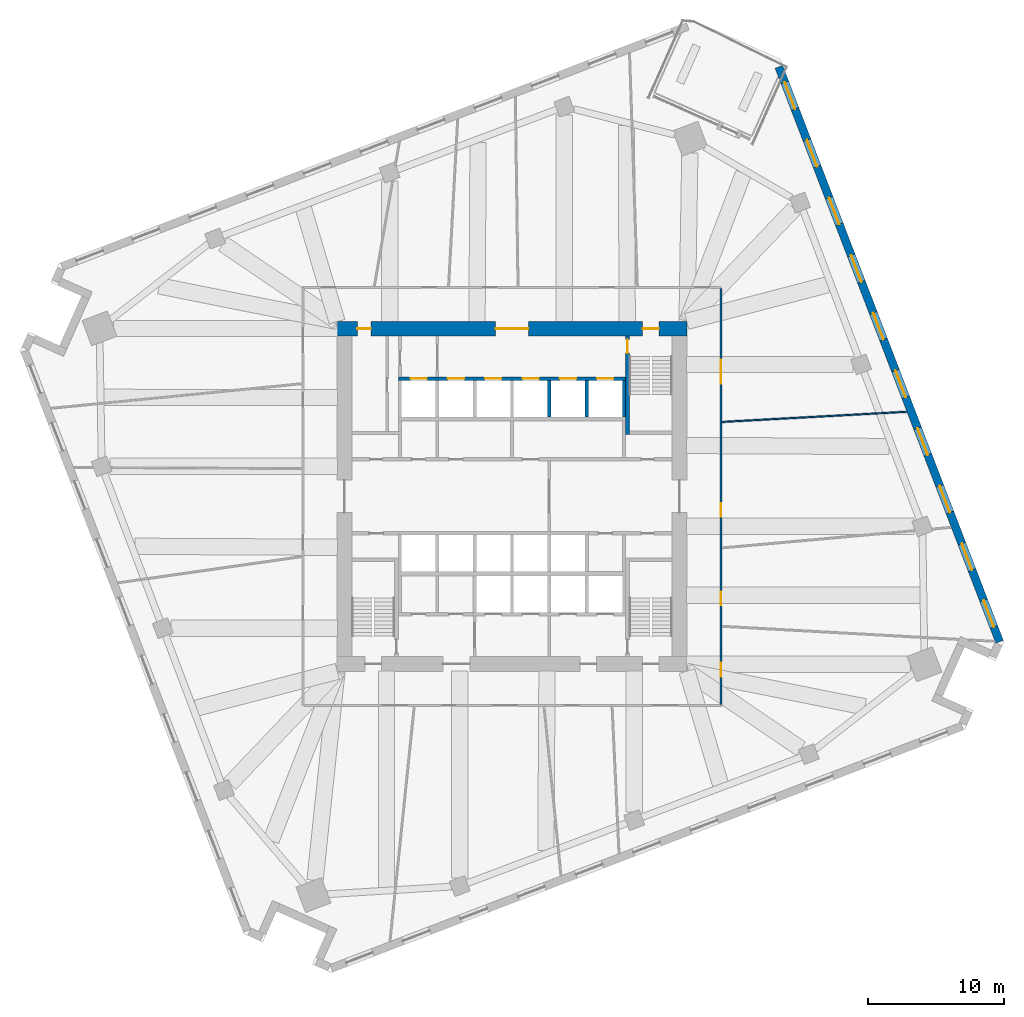
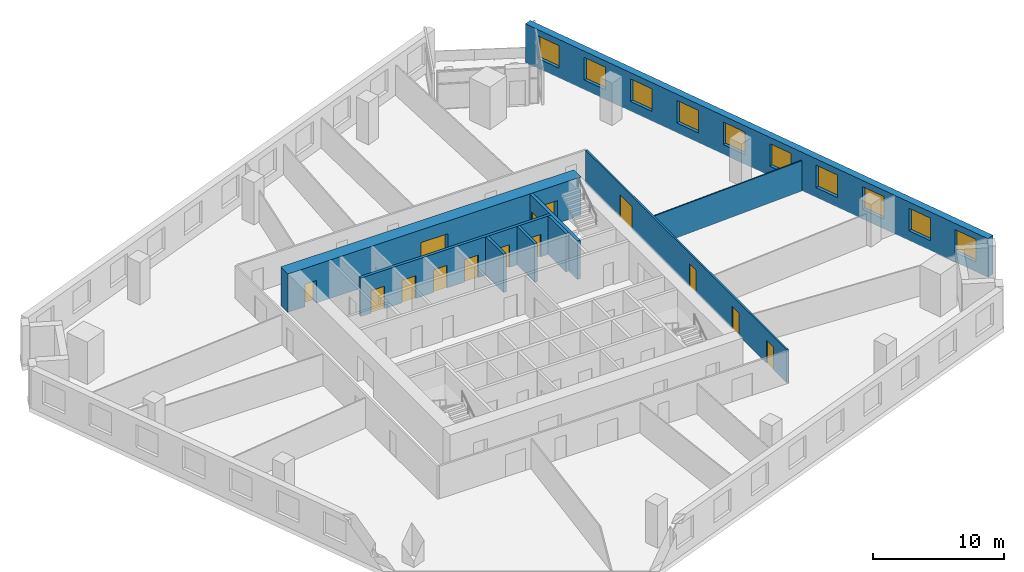
# One storey, part 11 of 14: 14 doors, 10 windows, 9 walls, 24 openings.
"""IFC4 building model written with IfcOpenShell, lengths in metres."""

from ifc_helpers import new_model, si_unit, direction, frame, frame_2d, origin, place, context, subcontext, project, spatial, rectangle, extrude, material, layer, layer_set, type_object, element, fill, save


model = new_model("IFC4")

# Units and contexts
model_context = context("Model", 3, precision=1e-05, world=origin(), true_north=direction((0.0, 1.0)))
body_context = subcontext(model_context, "Body", "Model", "MODEL_VIEW")
ifc_project = project(units=[si_unit("LENGTHUNIT", "METRE"), si_unit("AREAUNIT", "SQUARE_METRE"), si_unit("VOLUMEUNIT", "CUBIC_METRE"), si_unit("PLANEANGLEUNIT", "RADIAN"), si_unit("MASSUNIT", "GRAM", prefix="KILO")], contexts=[model_context])

# Site, building, storey
site_placement = place(None, origin())
site = spatial("IfcSite", under=ifc_project, at=site_placement, CompositionType="ELEMENT")
building_placement = place(site_placement, origin())
building = spatial("IfcBuilding", under=site, at=building_placement, Name="Dilmun Exchange Tower", CompositionType="ELEMENT")
storey_placement = place(building_placement, frame((0.0, 0.0, 110.10009765625)))
storey = spatial("IfcBuildingStorey", under=building, at=storey_placement, Name="L25", CompositionType="ELEMENT", Elevation=110.10009765625)

# Wall, openings, doors
ifc_material_1 = material(Name="Concrete C80/95", Category="concrete")
ifc_layer_1 = layer(ifc_material_1, 1.10009765625)
ifc_layer_set_1 = layer_set([ifc_layer_1], Name="Concrete C80/95")
wall_type_1 = type_object("IfcWallType", Name="Core shear wall 1100 Concrete C80/95", PredefinedType="SHEAR", material=ifc_layer_set_1)
wall_1_placement = place(storey_placement, frame((-12.89990234375, 12.35009765625, 0.0), z_axis=(0.0, 0.0, 1.0), x_axis=(1.0, 0.0, 0.0)))
wall_1 = element("IfcWall", 1, at=wall_1_placement, inside=storey, type_object=wall_type_1, Name="L25 core shear wall N", PredefinedType="SHEAR", context=body_context, shape_type="SweptSolid", body=[
    extrude(rectangle(XDim=25.7998046875, YDim=1.10009765625, at=frame_2d((12.89990234375, 0.0))), origin(), (0.0, 0.0, 1.0), 3.579833984375),
])
opening_1_placement = place(wall_1_placement, frame((11.699951171875, 0.0, 0.0)))
opening_1 = element("IfcOpeningElement", 2, at=opening_1_placement, cuts=wall_1, Name="Opening CD1", PredefinedType="OPENING", context=body_context, shape_type="SweptSolid", body=[
    extrude(rectangle(XDim=2.39990234375, YDim=2.39990234375, at=frame_2d((1.199951171875, 1.199951171875))), frame((0.0, 0.56005859375, 0.0), z_axis=(0.0, -1.0, 0.0), x_axis=(1.0, 0.0, 0.0)), (0.0, 0.0, 1.0), 1.1201171875),
])
opening_2_placement = place(wall_1_placement, frame((22.52490234375, 0.0, 0.0)))
opening_2 = element("IfcOpeningElement", 3, at=opening_2_placement, cuts=wall_1, Name="Opening CD3", PredefinedType="OPENING", context=body_context, shape_type="SweptSolid", body=[
    extrude(rectangle(XDim=1.199951171875, YDim=2.10009765625, at=frame_2d((0.60009765625, 1.050048828125))), frame((0.0, 0.56005859375, 0.0), z_axis=(0.0, -1.0, 0.0), x_axis=(1.0, 0.0, 0.0)), (0.0, 0.0, 1.0), 1.1201171875),
])
opening_3_placement = place(wall_1_placement, frame((1.5, 0.0, 0.0)))
opening_3 = element("IfcOpeningElement", 4, at=opening_3_placement, cuts=wall_1, Name="Opening CD4", PredefinedType="OPENING", context=body_context, shape_type="SweptSolid", body=[
    extrude(rectangle(XDim=1.0, YDim=2.10009765625, at=frame_2d((0.5, 1.050048828125))), frame((0.0, 0.56005859375, 0.0), z_axis=(0.0, -1.0, 0.0), x_axis=(1.0, 0.0, 0.0)), (0.0, 0.0, 1.0), 1.1201171875),
])
ifc_material_2 = material(Name="Fire-rated steel door set", Category="steel")
door_type_1 = type_object("IfcDoorType", Name="Core lobby door 2400x2400", OperationType="DOUBLE_DOOR_DOUBLE_SWING", PredefinedType="DOOR", material=ifc_material_2)
door_1_placement = place(opening_1_placement, origin())
door_1 = element("IfcDoor", 5, at=door_1_placement, inside=storey, type_object=door_type_1, Name="L25 door North lift lobby", OperationType="SINGLE_SWING_LEFT", OverallHeight=2.39990234375, OverallWidth=2.39990234375, PredefinedType="DOOR", context=body_context, shape_type="SweptSolid", body=[
    extrude(rectangle(XDim=2.39990234375, YDim=2.39990234375, at=frame_2d((1.199951171875, 1.199951171875))), frame((0.0, 0.02490234375, 0.0), z_axis=(0.0, -1.0, 0.0), x_axis=(1.0, 0.0, 0.0)), (0.0, 0.0, 1.0), 0.050048828125),
])
fill(opening_1, door_1)
door_type_2 = type_object("IfcDoorType", Name="Core room door 1000x2100", OperationType="SINGLE_SWING_LEFT", PredefinedType="DOOR", material=ifc_material_2)
door_2_placement = place(opening_3_placement, origin())
door_2 = element("IfcDoor", 6, at=door_2_placement, inside=storey, type_object=door_type_2, Name="L25 door North-west core rooms", OperationType="SINGLE_SWING_LEFT", OverallHeight=2.10009765625, OverallWidth=1.0, PredefinedType="DOOR", context=body_context, shape_type="SweptSolid", body=[
    extrude(rectangle(XDim=1.0, YDim=2.10009765625, at=frame_2d((0.5, 1.050048828125))), frame((0.0, 0.02490234375, 0.0), z_axis=(0.0, -1.0, 0.0), x_axis=(1.0, 0.0, 0.0)), (0.0, 0.0, 1.0), 0.050048828125),
])
fill(opening_3, door_2)
door_type_3 = type_object("IfcDoorType", Name="Stair exit door 1200x2100", OperationType="SINGLE_SWING_LEFT", PredefinedType="DOOR", material=ifc_material_2)
door_3_placement = place(opening_2_placement, origin())
door_3 = element("IfcDoor", 7, at=door_3_placement, inside=storey, type_object=door_type_3, Name="L25 door Stair ST1", OperationType="SINGLE_SWING_LEFT", OverallHeight=2.10009765625, OverallWidth=1.199951171875, PredefinedType="DOOR", context=body_context, shape_type="SweptSolid", body=[
    extrude(rectangle(XDim=1.199951171875, YDim=2.10009765625, at=frame_2d((0.60009765625, 1.050048828125))), frame((0.0, 0.02490234375, 0.0), z_axis=(0.0, -1.0, 0.0), x_axis=(1.0, 0.0, 0.0)), (0.0, 0.0, 1.0), 0.050048828125),
])
fill(opening_2, door_3)

ifc_material_3 = material(Name="Corridor wall 150")
ifc_layer_2 = layer(ifc_material_3, 0.14990234375)
ifc_layer_set_2 = layer_set([ifc_layer_2], Name="Corridor wall 150")
wall_type_2 = type_object("IfcWallType", Name="Corridor wall 150", PredefinedType="PARTITIONING", material=ifc_layer_set_2)
wall_2_placement = place(storey_placement, frame((15.39990234375, -15.324951171875, 0.0), z_axis=(0.0, 0.0, 1.0), x_axis=(0.0, 1.0, 0.0)))
wall_2 = element("IfcWall", 8, at=wall_2_placement, inside=storey, type_object=wall_type_2, Name="Corridor wall", PredefinedType="PARTITIONING", context=body_context, shape_type="SweptSolid", body=[
    extrude(rectangle(XDim=30.64990234375, YDim=0.14990234375, at=frame_2d((15.324951171875, 0.0))), origin(), (0.0, 0.0, 1.0), 3.079833984375),
])
opening_4_placement = place(wall_2_placement, frame((23.606201171875, 0.0, 0.0)))
opening_4 = element("IfcOpeningElement", 9, at=opening_4_placement, cuts=wall_2, Name="Opening TF23-D13", PredefinedType="OPENING", context=body_context, shape_type="SweptSolid", body=[
    extrude(rectangle(XDim=1.800048828125, YDim=2.10009765625, at=frame_2d((0.89990234375, 1.050048828125))), frame((0.0, 0.0849609375, 0.0), z_axis=(0.0, -1.0, 0.0), x_axis=(1.0, 0.0, 0.0)), (0.0, 0.0, 1.0), 0.169921875),
])
opening_5_placement = place(wall_2_placement, frame((2.050048828125, 0.0, 0.0)))
opening_5 = element("IfcOpeningElement", 10, at=opening_5_placement, cuts=wall_2, Name="Opening TF23-D16", PredefinedType="OPENING", context=body_context, shape_type="SweptSolid", body=[
    extrude(rectangle(XDim=1.0, YDim=2.10009765625, at=frame_2d((0.5, 1.050048828125))), frame((0.0, 0.0849609375, 0.0), z_axis=(0.0, -1.0, 0.0), x_axis=(1.0, 0.0, 0.0)), (0.0, 0.0, 1.0), 0.169921875),
])
opening_6_placement = place(wall_2_placement, frame((13.82177734375, 0.0, 0.0)))
opening_6 = element("IfcOpeningElement", 11, at=opening_6_placement, cuts=wall_2, Name="Opening TF23-D17", PredefinedType="OPENING", context=body_context, shape_type="SweptSolid", body=[
    extrude(rectangle(XDim=1.0, YDim=2.10009765625, at=frame_2d((0.5, 1.050048828125))), frame((0.0, 0.0849609375, 0.0), z_axis=(0.0, -1.0, 0.0), x_axis=(1.0, 0.0, 0.0)), (0.0, 0.0, 1.0), 0.169921875),
])
opening_7_placement = place(wall_2_placement, frame((7.305908203125, 0.0, 0.0)))
opening_7 = element("IfcOpeningElement", 12, at=opening_7_placement, cuts=wall_2, Name="Opening TF23-D18", PredefinedType="OPENING", context=body_context, shape_type="SweptSolid", body=[
    extrude(rectangle(XDim=1.0, YDim=2.10009765625, at=frame_2d((0.5, 1.050048828125))), frame((0.0, 0.0849609375, 0.0), z_axis=(0.0, -1.0, 0.0), x_axis=(1.0, 0.0, 0.0)), (0.0, 0.0, 1.0), 0.169921875),
])
ifc_material_4 = material(Name="Fire door 1000 x 2100")
door_type_4 = type_object("IfcDoorType", Name="Fire door 1000 x 2100", OperationType="NOTDEFINED", PredefinedType="DOOR", material=ifc_material_4)
door_4_placement = place(opening_5_placement, frame((1.0, 0.0, 0.0), z_axis=(0.0, 0.0, 1.0), x_axis=(-1.0, 0.0, 0.0)))
door_4 = element("IfcDoor", 13, at=door_4_placement, inside=storey, type_object=door_type_4, Name="Door TF23-D16", OperationType="SINGLE_SWING_RIGHT", OverallHeight=2.10009765625, OverallWidth=1.0, PredefinedType="DOOR", context=body_context, shape_type="SweptSolid", body=[
    extrude(rectangle(XDim=1.0, YDim=2.10009765625, at=frame_2d((0.5, 1.050048828125))), frame((0.0, 0.02490234375, 0.0), z_axis=(0.0, -1.0, 0.0), x_axis=(1.0, 0.0, 0.0)), (0.0, 0.0, 1.0), 0.050048828125),
])
fill(opening_5, door_4)
door_5_placement = place(opening_6_placement, frame((1.0, 0.0, 0.0), z_axis=(0.0, 0.0, 1.0), x_axis=(-1.0, 0.0, 0.0)))
door_5 = element("IfcDoor", 14, at=door_5_placement, inside=storey, type_object=door_type_4, Name="Door TF23-D17", OperationType="SINGLE_SWING_RIGHT", OverallHeight=2.10009765625, OverallWidth=1.0, PredefinedType="DOOR", context=body_context, shape_type="SweptSolid", body=[
    extrude(rectangle(XDim=1.0, YDim=2.10009765625, at=frame_2d((0.5, 1.050048828125))), frame((0.0, 0.02490234375, 0.0), z_axis=(0.0, -1.0, 0.0), x_axis=(1.0, 0.0, 0.0)), (0.0, 0.0, 1.0), 0.050048828125),
])
fill(opening_6, door_5)
door_6_placement = place(opening_7_placement, frame((1.0, 0.0, 0.0), z_axis=(0.0, 0.0, 1.0), x_axis=(-1.0, 0.0, 0.0)))
door_6 = element("IfcDoor", 15, at=door_6_placement, inside=storey, type_object=door_type_4, Name="Door TF23-D18", OperationType="SINGLE_SWING_RIGHT", OverallHeight=2.10009765625, OverallWidth=1.0, PredefinedType="DOOR", context=body_context, shape_type="SweptSolid", body=[
    extrude(rectangle(XDim=1.0, YDim=2.10009765625, at=frame_2d((0.5, 1.050048828125))), frame((0.0, 0.02490234375, 0.0), z_axis=(0.0, -1.0, 0.0), x_axis=(1.0, 0.0, 0.0)), (0.0, 0.0, 1.0), 0.050048828125),
])
fill(opening_7, door_6)
ifc_material_5 = material(Name="Fire door pair 1800 x 2100")
door_type_5 = type_object("IfcDoorType", Name="Fire door pair 1800 x 2100", OperationType="NOTDEFINED", PredefinedType="DOOR", material=ifc_material_5)
door_7_placement = place(opening_4_placement, frame((1.800048828125, 0.0, 0.0), z_axis=(0.0, 0.0, 1.0), x_axis=(-1.0, 0.0, 0.0)))
door_7 = element("IfcDoor", 16, at=door_7_placement, inside=storey, type_object=door_type_5, Name="Door TF23-D13", OperationType="DOUBLE_DOOR_SINGLE_SWING", OverallHeight=2.10009765625, OverallWidth=1.800048828125, PredefinedType="DOOR", context=body_context, shape_type="SweptSolid", body=[
    extrude(rectangle(XDim=1.800048828125, YDim=2.10009765625, at=frame_2d((0.89990234375, 1.050048828125))), frame((0.0, 0.02490234375, 0.0), z_axis=(0.0, -1.0, 0.0), x_axis=(1.0, 0.0, 0.0)), (0.0, 0.0, 1.0), 0.050048828125),
])
fill(opening_4, door_7)

ifc_material_6 = material(Name="Concrete C40/50", Category="concrete")
ifc_layer_3 = layer(ifc_material_6, 0.25)
ifc_layer_set_3 = layer_set([ifc_layer_3], Name="Concrete C40/50")
wall_type_3 = type_object("IfcWallType", Name="Lift shaft wall 250", PredefinedType="SOLIDWALL", material=ifc_layer_set_3)
wall_3_placement = place(storey_placement, frame((-8.375, 8.675048828125, 0.0), z_axis=(0.0, 0.0, 1.0), x_axis=(1.0, 0.0, 0.0)))
wall_3 = element("IfcWall", 17, at=wall_3_placement, inside=storey, type_object=wall_type_3, Name="L25 lift shaft front wall N2", PredefinedType="SOLIDWALL", context=body_context, shape_type="SweptSolid", body=[
    extrude(rectangle(XDim=16.75, YDim=0.25, at=frame_2d((8.375, 0.0))), origin(), (0.0, 0.0, 1.0), 3.579833984375),
])
opening_8_placement = place(wall_3_placement, frame((0.89990234375, 0.0, 0.0)))
opening_8 = element("IfcOpeningElement", 18, at=opening_8_placement, cuts=wall_3, Name="Opening LD", PredefinedType="OPENING", context=body_context, shape_type="SweptSolid", body=[
    extrude(rectangle(XDim=1.199951171875, YDim=2.10009765625, at=frame_2d((0.60009765625, 1.050048828125))), frame((0.0, 0.135009765625, 0.0), z_axis=(0.0, -1.0, 0.0), x_axis=(1.0, 0.0, 0.0)), (0.0, 0.0, 1.0), 0.27001953125),
])
opening_9_placement = place(wall_3_placement, frame((3.64990234375, 0.0, 0.0)))
opening_9 = element("IfcOpeningElement", 19, at=opening_9_placement, cuts=wall_3, Name="Opening LD", PredefinedType="OPENING", context=body_context, shape_type="SweptSolid", body=[
    extrude(rectangle(XDim=1.199951171875, YDim=2.10009765625, at=frame_2d((0.60009765625, 1.050048828125))), frame((0.0, 0.135009765625, 0.0), z_axis=(0.0, -1.0, 0.0), x_axis=(1.0, 0.0, 0.0)), (0.0, 0.0, 1.0), 0.27001953125),
])
opening_10_placement = place(wall_3_placement, frame((6.39990234375, 0.0, 0.0)))
opening_10 = element("IfcOpeningElement", 20, at=opening_10_placement, cuts=wall_3, Name="Opening LD", PredefinedType="OPENING", context=body_context, shape_type="SweptSolid", body=[
    extrude(rectangle(XDim=1.199951171875, YDim=2.10009765625, at=frame_2d((0.60009765625, 1.050048828125))), frame((0.0, 0.135009765625, 0.0), z_axis=(0.0, -1.0, 0.0), x_axis=(1.0, 0.0, 0.0)), (0.0, 0.0, 1.0), 0.27001953125),
])
opening_11_placement = place(wall_3_placement, frame((9.14990234375, 0.0, 0.0)))
opening_11 = element("IfcOpeningElement", 21, at=opening_11_placement, cuts=wall_3, Name="Opening LD", PredefinedType="OPENING", context=body_context, shape_type="SweptSolid", body=[
    extrude(rectangle(XDim=1.199951171875, YDim=2.10009765625, at=frame_2d((0.60009765625, 1.050048828125))), frame((0.0, 0.135009765625, 0.0), z_axis=(0.0, -1.0, 0.0), x_axis=(1.0, 0.0, 0.0)), (0.0, 0.0, 1.0), 0.27001953125),
])
opening_12_placement = place(wall_3_placement, frame((11.89990234375, 0.0, 0.0)))
opening_12 = element("IfcOpeningElement", 22, at=opening_12_placement, cuts=wall_3, Name="Opening LD", PredefinedType="OPENING", context=body_context, shape_type="SweptSolid", body=[
    extrude(rectangle(XDim=1.199951171875, YDim=2.10009765625, at=frame_2d((0.60009765625, 1.050048828125))), frame((0.0, 0.135009765625, 0.0), z_axis=(0.0, -1.0, 0.0), x_axis=(1.0, 0.0, 0.0)), (0.0, 0.0, 1.0), 0.27001953125),
])
opening_13_placement = place(wall_3_placement, frame((14.64990234375, 0.0, 0.0)))
opening_13 = element("IfcOpeningElement", 23, at=opening_13_placement, cuts=wall_3, Name="Opening LD", PredefinedType="OPENING", context=body_context, shape_type="SweptSolid", body=[
    extrude(rectangle(XDim=1.199951171875, YDim=2.10009765625, at=frame_2d((0.60009765625, 1.050048828125))), frame((0.0, 0.135009765625, 0.0), z_axis=(0.0, -1.0, 0.0), x_axis=(1.0, 0.0, 0.0)), (0.0, 0.0, 1.0), 0.27001953125),
])
door_type_6 = type_object("IfcDoorType", Name="Lift landing door 1200x2100", OperationType="DOUBLE_DOOR_SLIDING", PredefinedType="DOOR", material=ifc_material_2)
door_8_placement = place(opening_8_placement, origin())
door_8 = element("IfcDoor", 24, at=door_8_placement, inside=storey, type_object=door_type_6, Name="L25 landing door LR1", OperationType="DOUBLE_DOOR_SLIDING", OverallHeight=2.10009765625, OverallWidth=1.199951171875, PredefinedType="DOOR", context=body_context, shape_type="SweptSolid", body=[
    extrude(rectangle(XDim=1.199951171875, YDim=2.10009765625, at=frame_2d((0.60009765625, 1.050048828125))), frame((0.0, 0.02490234375, 0.0), z_axis=(0.0, -1.0, 0.0), x_axis=(1.0, 0.0, 0.0)), (0.0, 0.0, 1.0), 0.050048828125),
])
fill(opening_8, door_8)
door_9_placement = place(opening_9_placement, origin())
door_9 = element("IfcDoor", 25, at=door_9_placement, inside=storey, type_object=door_type_6, Name="L25 landing door LR2", OperationType="DOUBLE_DOOR_SLIDING", OverallHeight=2.10009765625, OverallWidth=1.199951171875, PredefinedType="DOOR", context=body_context, shape_type="SweptSolid", body=[
    extrude(rectangle(XDim=1.199951171875, YDim=2.10009765625, at=frame_2d((0.60009765625, 1.050048828125))), frame((0.0, 0.02490234375, 0.0), z_axis=(0.0, -1.0, 0.0), x_axis=(1.0, 0.0, 0.0)), (0.0, 0.0, 1.0), 0.050048828125),
])
fill(opening_9, door_9)
door_10_placement = place(opening_10_placement, origin())
door_10 = element("IfcDoor", 26, at=door_10_placement, inside=storey, type_object=door_type_6, Name="L25 landing door LR3", OperationType="DOUBLE_DOOR_SLIDING", OverallHeight=2.10009765625, OverallWidth=1.199951171875, PredefinedType="DOOR", context=body_context, shape_type="SweptSolid", body=[
    extrude(rectangle(XDim=1.199951171875, YDim=2.10009765625, at=frame_2d((0.60009765625, 1.050048828125))), frame((0.0, 0.02490234375, 0.0), z_axis=(0.0, -1.0, 0.0), x_axis=(1.0, 0.0, 0.0)), (0.0, 0.0, 1.0), 0.050048828125),
])
fill(opening_10, door_10)
door_11_placement = place(opening_11_placement, origin())
door_11 = element("IfcDoor", 27, at=door_11_placement, inside=storey, type_object=door_type_6, Name="L25 landing door LR4", OperationType="DOUBLE_DOOR_SLIDING", OverallHeight=2.10009765625, OverallWidth=1.199951171875, PredefinedType="DOOR", context=body_context, shape_type="SweptSolid", body=[
    extrude(rectangle(XDim=1.199951171875, YDim=2.10009765625, at=frame_2d((0.60009765625, 1.050048828125))), frame((0.0, 0.02490234375, 0.0), z_axis=(0.0, -1.0, 0.0), x_axis=(1.0, 0.0, 0.0)), (0.0, 0.0, 1.0), 0.050048828125),
])
fill(opening_11, door_11)
door_12_placement = place(opening_12_placement, origin())
door_12 = element("IfcDoor", 28, at=door_12_placement, inside=storey, type_object=door_type_6, Name="L25 landing door LR5", OperationType="DOUBLE_DOOR_SLIDING", OverallHeight=2.10009765625, OverallWidth=1.199951171875, PredefinedType="DOOR", context=body_context, shape_type="SweptSolid", body=[
    extrude(rectangle(XDim=1.199951171875, YDim=2.10009765625, at=frame_2d((0.60009765625, 1.050048828125))), frame((0.0, 0.02490234375, 0.0), z_axis=(0.0, -1.0, 0.0), x_axis=(1.0, 0.0, 0.0)), (0.0, 0.0, 1.0), 0.050048828125),
])
fill(opening_12, door_12)
door_13_placement = place(opening_13_placement, origin())
door_13 = element("IfcDoor", 29, at=door_13_placement, inside=storey, type_object=door_type_6, Name="L25 landing door LR6", OperationType="DOUBLE_DOOR_SLIDING", OverallHeight=2.10009765625, OverallWidth=1.199951171875, PredefinedType="DOOR", context=body_context, shape_type="SweptSolid", body=[
    extrude(rectangle(XDim=1.199951171875, YDim=2.10009765625, at=frame_2d((0.60009765625, 1.050048828125))), frame((0.0, 0.02490234375, 0.0), z_axis=(0.0, -1.0, 0.0), x_axis=(1.0, 0.0, 0.0)), (0.0, 0.0, 1.0), 0.050048828125),
])
fill(opening_13, door_13)

# Walls
for number, where, z_axis, x_axis, name in (
    (30, (2.75, 5.85009765625, 0.0), (0.0, 0.0, 1.0), (0.0, 1.0, 0.0), "L25 lift shaft divider N24"),
    (31, (5.5, 5.85009765625, 0.0), (0.0, 0.0, 1.0), (0.0, 1.0, 0.0), "L25 lift shaft divider N25"),
    (32, (8.25, 5.85009765625, 0.0), (0.0, 0.0, 1.0), (0.0, 1.0, 0.0), "L25 lift shaft divider N26"),
):
    element("IfcWall", number, at=place(storey_placement, frame(where, z_axis=z_axis, x_axis=x_axis)), inside=storey, type_object=wall_type_3, Name=name, PredefinedType="SOLIDWALL", context=body_context, shape_type="SweptSolid", body=[
        extrude(rectangle(XDim=2.699951171875, YDim=0.25, at=frame_2d((1.35009765625, 0.0))), origin(), (0.0, 0.0, 1.0), 3.579833984375),
    ])
ifc_material_7 = material(Name="Partition 100")
ifc_layer_4 = layer(ifc_material_7, 0.10009765625)
ifc_layer_set_4 = layer_set([ifc_layer_4], Name="Partition 100")
wall_type_4 = type_object("IfcWallType", Name="Partition 100", PredefinedType="PARTITIONING", material=ifc_layer_set_4)
wall_4_placement = place(storey_placement, frame((15.477783203125, 5.4853515625, 0.0), z_axis=(0.0, 0.0, 1.0), x_axis=(0.998486949927, 0.054989188257, 0.0)))
element("IfcWall", 33, at=wall_4_placement, inside=storey, type_object=wall_type_4, Name="Partition", PredefinedType="PARTITIONING", context=body_context, shape_type="SweptSolid", body=[
    extrude(rectangle(XDim=13.63916015625, YDim=0.10009765625, at=frame_2d((6.819580078125, 0.0))), origin(), (0.0, 0.0, 1.0), 2.829833984375),
])

# Wall, openings, windows
ifc_material_8 = material(Name="Precast concrete C50/60", Category="concrete")
ifc_layer_5 = layer(ifc_material_8, 0.60009765625)
ifc_layer_set_5 = layer_set([ifc_layer_5], Name="Precast concrete C50/60")
wall_type_5 = type_object("IfcWallType", Name="Precast stone-clad wall 600", PredefinedType="STANDARD", material=ifc_layer_set_5)
wall_5_placement = place(storey_placement, frame((35.92529296875, -10.712890625, 0.0), z_axis=(0.0, 0.0, 1.0), x_axis=(-0.35836716154, 0.933580728984, 0.0)))
wall_5 = element("IfcWall", 34, at=wall_5_placement, inside=storey, type_object=wall_type_5, Name="Facade wall L25-21", PredefinedType="STANDARD", context=body_context, shape_type="SweptSolid", body=[
    extrude(rectangle(XDim=45.3759765625, YDim=0.60009765625, at=frame_2d((22.68798828125, 0.0))), origin(), (0.0, 0.0, 1.0), 3.579833984375),
])
opening_14_placement = place(wall_5_placement, frame((1.162841796875, 0.0, 0.89990234375)))
opening_14 = element("IfcOpeningElement", 35, at=opening_14_placement, cuts=wall_5, Name="Opening W210-210", PredefinedType="OPENING", context=body_context, shape_type="SweptSolid", body=[
    extrude(rectangle(XDim=2.10009765625, YDim=2.10009765625, at=frame_2d((1.050048828125, 1.050048828125))), frame((0.0, 0.31005859375, 0.0), z_axis=(0.0, -1.0, 0.0), x_axis=(1.0, 0.0, 0.0)), (0.0, 0.0, 1.0), 0.6201171875),
])
opening_15_placement = place(wall_5_placement, frame((5.650634765625, 0.0, 0.89990234375)))
opening_15 = element("IfcOpeningElement", 36, at=opening_15_placement, cuts=wall_5, Name="Opening W210-210", PredefinedType="OPENING", context=body_context, shape_type="SweptSolid", body=[
    extrude(rectangle(XDim=2.10009765625, YDim=2.10009765625, at=frame_2d((1.050048828125, 1.050048828125))), frame((0.0, 0.31005859375, 0.0), z_axis=(0.0, -1.0, 0.0), x_axis=(1.0, 0.0, 0.0)), (0.0, 0.0, 1.0), 0.6201171875),
])
opening_16_placement = place(wall_5_placement, frame((10.20068359375, 0.0, 0.89990234375)))
opening_16 = element("IfcOpeningElement", 37, at=opening_16_placement, cuts=wall_5, Name="Opening W210-210", PredefinedType="OPENING", context=body_context, shape_type="SweptSolid", body=[
    extrude(rectangle(XDim=2.10009765625, YDim=2.10009765625, at=frame_2d((1.050048828125, 1.050048828125))), frame((0.0, 0.31005859375, 0.0), z_axis=(0.0, -1.0, 0.0), x_axis=(1.0, 0.0, 0.0)), (0.0, 0.0, 1.0), 0.6201171875),
])
opening_17_placement = place(wall_5_placement, frame((14.750732421875, 0.0, 0.89990234375)))
opening_17 = element("IfcOpeningElement", 38, at=opening_17_placement, cuts=wall_5, Name="Opening W210-210", PredefinedType="OPENING", context=body_context, shape_type="SweptSolid", body=[
    extrude(rectangle(XDim=2.10009765625, YDim=2.10009765625, at=frame_2d((1.050048828125, 1.050048828125))), frame((0.0, 0.31005859375, 0.0), z_axis=(0.0, -1.0, 0.0), x_axis=(1.0, 0.0, 0.0)), (0.0, 0.0, 1.0), 0.6201171875),
])
opening_18_placement = place(wall_5_placement, frame((19.30078125, 0.0, 0.89990234375)))
opening_18 = element("IfcOpeningElement", 39, at=opening_18_placement, cuts=wall_5, Name="Opening W210-210", PredefinedType="OPENING", context=body_context, shape_type="SweptSolid", body=[
    extrude(rectangle(XDim=2.10009765625, YDim=2.10009765625, at=frame_2d((1.050048828125, 1.050048828125))), frame((0.0, 0.31005859375, 0.0), z_axis=(0.0, -1.0, 0.0), x_axis=(1.0, 0.0, 0.0)), (0.0, 0.0, 1.0), 0.6201171875),
])
opening_19_placement = place(wall_5_placement, frame((23.8505859375, 0.0, 0.89990234375)))
opening_19 = element("IfcOpeningElement", 40, at=opening_19_placement, cuts=wall_5, Name="Opening W210-210", PredefinedType="OPENING", context=body_context, shape_type="SweptSolid", body=[
    extrude(rectangle(XDim=2.10009765625, YDim=2.10009765625, at=frame_2d((1.050048828125, 1.050048828125))), frame((0.0, 0.31005859375, 0.0), z_axis=(0.0, -1.0, 0.0), x_axis=(1.0, 0.0, 0.0)), (0.0, 0.0, 1.0), 0.6201171875),
])
opening_20_placement = place(wall_5_placement, frame((28.400634765625, 0.0, 0.89990234375)))
opening_20 = element("IfcOpeningElement", 41, at=opening_20_placement, cuts=wall_5, Name="Opening W210-210", PredefinedType="OPENING", context=body_context, shape_type="SweptSolid", body=[
    extrude(rectangle(XDim=2.10009765625, YDim=2.10009765625, at=frame_2d((1.050048828125, 1.050048828125))), frame((0.0, 0.31005859375, 0.0), z_axis=(0.0, -1.0, 0.0), x_axis=(1.0, 0.0, 0.0)), (0.0, 0.0, 1.0), 0.6201171875),
])
opening_21_placement = place(wall_5_placement, frame((32.95068359375, 0.0, 0.89990234375)))
opening_21 = element("IfcOpeningElement", 42, at=opening_21_placement, cuts=wall_5, Name="Opening W210-210", PredefinedType="OPENING", context=body_context, shape_type="SweptSolid", body=[
    extrude(rectangle(XDim=2.10009765625, YDim=2.10009765625, at=frame_2d((1.050048828125, 1.050048828125))), frame((0.0, 0.31005859375, 0.0), z_axis=(0.0, -1.0, 0.0), x_axis=(1.0, 0.0, 0.0)), (0.0, 0.0, 1.0), 0.6201171875),
])
opening_22_placement = place(wall_5_placement, frame((37.500732421875, 0.0, 0.89990234375)))
opening_22 = element("IfcOpeningElement", 43, at=opening_22_placement, cuts=wall_5, Name="Opening W210-210", PredefinedType="OPENING", context=body_context, shape_type="SweptSolid", body=[
    extrude(rectangle(XDim=2.10009765625, YDim=2.10009765625, at=frame_2d((1.050048828125, 1.050048828125))), frame((0.0, 0.31005859375, 0.0), z_axis=(0.0, -1.0, 0.0), x_axis=(1.0, 0.0, 0.0)), (0.0, 0.0, 1.0), 0.6201171875),
])
opening_23_placement = place(wall_5_placement, frame((42.05078125, 0.0, 0.89990234375)))
opening_23 = element("IfcOpeningElement", 44, at=opening_23_placement, cuts=wall_5, Name="Opening W210-210", PredefinedType="OPENING", context=body_context, shape_type="SweptSolid", body=[
    extrude(rectangle(XDim=2.10009765625, YDim=2.10009765625, at=frame_2d((1.050048828125, 1.050048828125))), frame((0.0, 0.31005859375, 0.0), z_axis=(0.0, -1.0, 0.0), x_axis=(1.0, 0.0, 0.0)), (0.0, 0.0, 1.0), 0.6201171875),
])
ifc_material_9 = material(Name="Clear low-emissivity glass in aluminium frame", Category="aluminium")
window_type = type_object("IfcWindowType", Name="Punched window 2100 x 2100", PartitioningType="DOUBLE_PANEL_VERTICAL", PredefinedType="WINDOW", material=ifc_material_9)
window_1_placement = place(opening_14_placement, origin())
window_1 = element("IfcWindow", 45, at=window_1_placement, inside=storey, type_object=window_type, Name="Window 22.1", OverallHeight=2.10009765625, OverallWidth=2.10009765625, PartitioningType="SINGLE_PANEL", PredefinedType="WINDOW", context=body_context, shape_type="SweptSolid", body=[
    extrude(rectangle(XDim=2.10009765625, YDim=2.10009765625, at=frame_2d((1.050048828125, 1.050048828125))), frame((0.0, 0.030029296875, 0.0), z_axis=(0.0, -1.0, 0.0), x_axis=(1.0, 0.0, 0.0)), (0.0, 0.0, 1.0), 0.06005859375),
])
fill(opening_14, window_1)
window_2_placement = place(opening_15_placement, origin())
window_2 = element("IfcWindow", 46, at=window_2_placement, inside=storey, type_object=window_type, Name="Window 22.2", OverallHeight=2.10009765625, OverallWidth=2.10009765625, PartitioningType="SINGLE_PANEL", PredefinedType="WINDOW", context=body_context, shape_type="SweptSolid", body=[
    extrude(rectangle(XDim=2.10009765625, YDim=2.10009765625, at=frame_2d((1.050048828125, 1.050048828125))), frame((0.0, 0.030029296875, 0.0), z_axis=(0.0, -1.0, 0.0), x_axis=(1.0, 0.0, 0.0)), (0.0, 0.0, 1.0), 0.06005859375),
])
fill(opening_15, window_2)
window_3_placement = place(opening_16_placement, origin())
window_3 = element("IfcWindow", 47, at=window_3_placement, inside=storey, type_object=window_type, Name="Window 22.3", OverallHeight=2.10009765625, OverallWidth=2.10009765625, PartitioningType="SINGLE_PANEL", PredefinedType="WINDOW", context=body_context, shape_type="SweptSolid", body=[
    extrude(rectangle(XDim=2.10009765625, YDim=2.10009765625, at=frame_2d((1.050048828125, 1.050048828125))), frame((0.0, 0.030029296875, 0.0), z_axis=(0.0, -1.0, 0.0), x_axis=(1.0, 0.0, 0.0)), (0.0, 0.0, 1.0), 0.06005859375),
])
fill(opening_16, window_3)
window_4_placement = place(opening_17_placement, origin())
window_4 = element("IfcWindow", 48, at=window_4_placement, inside=storey, type_object=window_type, Name="Window 22.4", OverallHeight=2.10009765625, OverallWidth=2.10009765625, PartitioningType="SINGLE_PANEL", PredefinedType="WINDOW", context=body_context, shape_type="SweptSolid", body=[
    extrude(rectangle(XDim=2.10009765625, YDim=2.10009765625, at=frame_2d((1.050048828125, 1.050048828125))), frame((0.0, 0.030029296875, 0.0), z_axis=(0.0, -1.0, 0.0), x_axis=(1.0, 0.0, 0.0)), (0.0, 0.0, 1.0), 0.06005859375),
])
fill(opening_17, window_4)
window_5_placement = place(opening_18_placement, origin())
window_5 = element("IfcWindow", 49, at=window_5_placement, inside=storey, type_object=window_type, Name="Window 22.5", OverallHeight=2.10009765625, OverallWidth=2.10009765625, PartitioningType="SINGLE_PANEL", PredefinedType="WINDOW", context=body_context, shape_type="SweptSolid", body=[
    extrude(rectangle(XDim=2.10009765625, YDim=2.10009765625, at=frame_2d((1.050048828125, 1.050048828125))), frame((0.0, 0.030029296875, 0.0), z_axis=(0.0, -1.0, 0.0), x_axis=(1.0, 0.0, 0.0)), (0.0, 0.0, 1.0), 0.06005859375),
])
fill(opening_18, window_5)
window_6_placement = place(opening_19_placement, origin())
window_6 = element("IfcWindow", 50, at=window_6_placement, inside=storey, type_object=window_type, Name="Window 22.6", OverallHeight=2.10009765625, OverallWidth=2.10009765625, PartitioningType="SINGLE_PANEL", PredefinedType="WINDOW", context=body_context, shape_type="SweptSolid", body=[
    extrude(rectangle(XDim=2.10009765625, YDim=2.10009765625, at=frame_2d((1.050048828125, 1.050048828125))), frame((0.0, 0.030029296875, 0.0), z_axis=(0.0, -1.0, 0.0), x_axis=(1.0, 0.0, 0.0)), (0.0, 0.0, 1.0), 0.06005859375),
])
fill(opening_19, window_6)
window_7_placement = place(opening_20_placement, origin())
window_7 = element("IfcWindow", 51, at=window_7_placement, inside=storey, type_object=window_type, Name="Window 22.7", OverallHeight=2.10009765625, OverallWidth=2.10009765625, PartitioningType="SINGLE_PANEL", PredefinedType="WINDOW", context=body_context, shape_type="SweptSolid", body=[
    extrude(rectangle(XDim=2.10009765625, YDim=2.10009765625, at=frame_2d((1.050048828125, 1.050048828125))), frame((0.0, 0.030029296875, 0.0), z_axis=(0.0, -1.0, 0.0), x_axis=(1.0, 0.0, 0.0)), (0.0, 0.0, 1.0), 0.06005859375),
])
fill(opening_20, window_7)
window_8_placement = place(opening_21_placement, origin())
window_8 = element("IfcWindow", 52, at=window_8_placement, inside=storey, type_object=window_type, Name="Window 22.8", OverallHeight=2.10009765625, OverallWidth=2.10009765625, PartitioningType="SINGLE_PANEL", PredefinedType="WINDOW", context=body_context, shape_type="SweptSolid", body=[
    extrude(rectangle(XDim=2.10009765625, YDim=2.10009765625, at=frame_2d((1.050048828125, 1.050048828125))), frame((0.0, 0.030029296875, 0.0), z_axis=(0.0, -1.0, 0.0), x_axis=(1.0, 0.0, 0.0)), (0.0, 0.0, 1.0), 0.06005859375),
])
fill(opening_21, window_8)
window_9_placement = place(opening_22_placement, origin())
window_9 = element("IfcWindow", 53, at=window_9_placement, inside=storey, type_object=window_type, Name="Window 22.9", OverallHeight=2.10009765625, OverallWidth=2.10009765625, PartitioningType="SINGLE_PANEL", PredefinedType="WINDOW", context=body_context, shape_type="SweptSolid", body=[
    extrude(rectangle(XDim=2.10009765625, YDim=2.10009765625, at=frame_2d((1.050048828125, 1.050048828125))), frame((0.0, 0.030029296875, 0.0), z_axis=(0.0, -1.0, 0.0), x_axis=(1.0, 0.0, 0.0)), (0.0, 0.0, 1.0), 0.06005859375),
])
fill(opening_22, window_9)
window_10_placement = place(opening_23_placement, origin())
window_10 = element("IfcWindow", 54, at=window_10_placement, inside=storey, type_object=window_type, Name="Window 22.10", OverallHeight=2.10009765625, OverallWidth=2.10009765625, PartitioningType="SINGLE_PANEL", PredefinedType="WINDOW", context=body_context, shape_type="SweptSolid", body=[
    extrude(rectangle(XDim=2.10009765625, YDim=2.10009765625, at=frame_2d((1.050048828125, 1.050048828125))), frame((0.0, 0.030029296875, 0.0), z_axis=(0.0, -1.0, 0.0), x_axis=(1.0, 0.0, 0.0)), (0.0, 0.0, 1.0), 0.06005859375),
])
fill(opening_23, window_10)

# Wall, opening, door
ifc_layer_6 = layer(ifc_material_6, 0.27490234375)
ifc_layer_set_6 = layer_set([ifc_layer_6], Name="Concrete C40/50")
wall_type_6 = type_object("IfcWallType", Name="Stair wall 275", PredefinedType="SOLIDWALL", material=ifc_layer_set_6)
wall_6_placement = place(storey_placement, frame((8.512451171875, 4.550048828125, 0.0), z_axis=(0.0, 0.0, 1.0), x_axis=(0.0, 1.0, 0.0)))
wall_6 = element("IfcWall", 55, at=wall_6_placement, inside=storey, type_object=wall_type_6, Name="L25 ST1 wall to lift block", PredefinedType="SOLIDWALL", context=body_context, shape_type="SweptSolid", body=[
    extrude(rectangle(XDim=7.25, YDim=0.27490234375, at=frame_2d((3.625, 0.0))), origin(), (0.0, 0.0, 1.0), 3.579833984375),
])
opening_24_placement = place(wall_6_placement, frame((6.0, 0.0, 0.0)))
opening_24 = element("IfcOpeningElement", 56, at=opening_24_placement, cuts=wall_6, Name="Opening CD4", PredefinedType="OPENING", context=body_context, shape_type="SweptSolid", body=[
    extrude(rectangle(XDim=1.0, YDim=2.10009765625, at=frame_2d((0.5, 1.050048828125))), frame((0.0, 0.1474609375, 0.0), z_axis=(0.0, -1.0, 0.0), x_axis=(1.0, 0.0, 0.0)), (0.0, 0.0, 1.0), 0.294921875),
])
door_14_placement = place(opening_24_placement, origin())
door_14 = element("IfcDoor", 57, at=door_14_placement, inside=storey, type_object=door_type_2, Name="L25 door ST1 from lobby", OperationType="SINGLE_SWING_LEFT", OverallHeight=2.10009765625, OverallWidth=1.0, PredefinedType="DOOR", context=body_context, shape_type="SweptSolid", body=[
    extrude(rectangle(XDim=1.0, YDim=2.10009765625, at=frame_2d((0.5, 1.050048828125))), frame((0.0, 0.02490234375, 0.0), z_axis=(0.0, -1.0, 0.0), x_axis=(1.0, 0.0, 0.0)), (0.0, 0.0, 1.0), 0.050048828125),
])
fill(opening_24, door_14)

save(model, "model.ifc")
